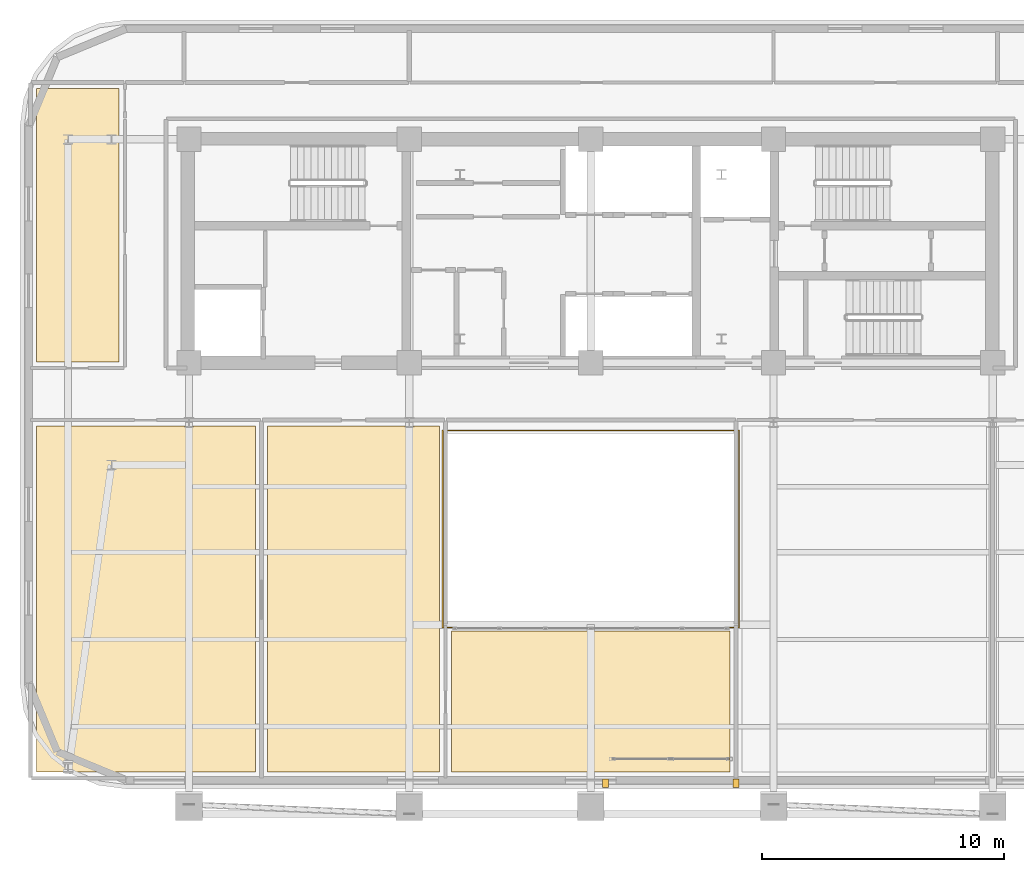
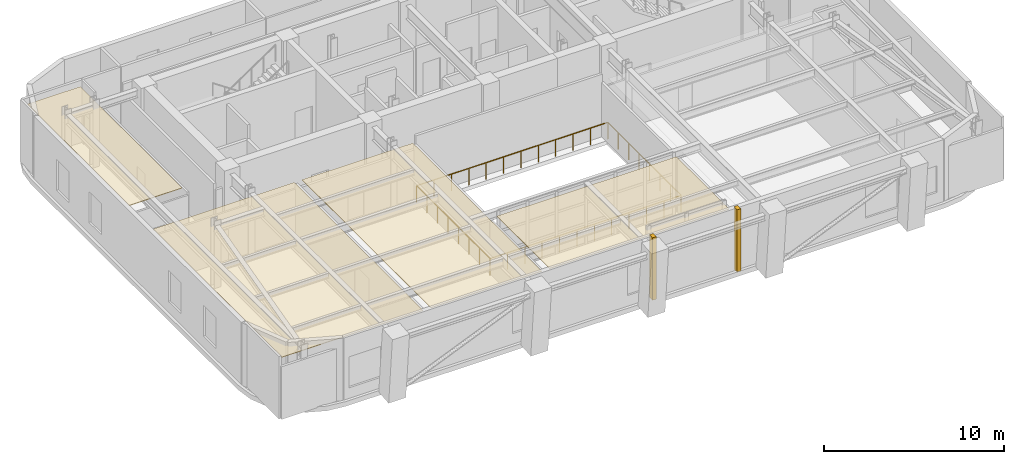
# One storey, part 10 of 13: 6 coverings, 1 railing.
"""IFC4 building model written with IfcOpenShell, lengths in metres."""

from ifc_helpers import new_model, si_unit, direction, frame, origin, origin_2d, place, context, subcontext, project, spatial, polyline, rectangle, outline, extrude, material, layer, layer_set, type_object, element, save


model = new_model("IFC4")

# Units and contexts
model_context = context("Model", 3, precision=1e-05, world=origin(), true_north=direction((0.0, 1.0)))
body_context = subcontext(model_context, "Body", "Model", "MODEL_VIEW")
ifc_project = project(units=[si_unit("LENGTHUNIT", "METRE"), si_unit("AREAUNIT", "SQUARE_METRE"), si_unit("VOLUMEUNIT", "CUBIC_METRE"), si_unit("PLANEANGLEUNIT", "RADIAN"), si_unit("MASSUNIT", "GRAM", prefix="KILO")], contexts=[model_context])

# Site, building, storey
site_placement = place(None, origin())
site = spatial("IfcSite", under=ifc_project, at=site_placement, CompositionType="ELEMENT")
building_placement = place(site_placement, origin())
building = spatial("IfcBuilding", under=site, at=building_placement, Name="Zarnavel Station Tower", CompositionType="ELEMENT")
storey_placement = place(building_placement, frame((0.0, 0.0, 183.85009765625)))
storey = spatial("IfcBuildingStorey", under=building, at=storey_placement, Name="L50", CompositionType="ELEMENT", Elevation=183.85009765625)

# Coverings
ifc_material_1 = material(Name="Perforated Gypsum and Mineral-Wool Acoustic Ceiling", Category="concrete")
ifc_layer = layer(ifc_material_1, 0.0400390625)
ifc_layer_set = layer_set([ifc_layer], Name="COV_CEIL_ACOUSTIC")
covering_type_1 = type_object("IfcCoveringType", Name="COV_CEIL_ACOUSTIC", PredefinedType="CEILING", material=ifc_layer_set)
covering_1_placement = place(storey_placement, frame((0.0, 0.0, 3.909912109375)))
element("IfcCovering", 1, at=covering_1_placement, inside=storey, type_object=covering_type_1, Name="L50 SLREC Acoustic Ceiling", PredefinedType="CEILING", context=body_context, shape_type="SweptSolid", body=[
    extrude(outline(polyline([(5.909912109375, 10.909912109375), (14.949951171875, 10.909912109375), (14.949951171875, 25.199951171875), (5.909912109375, 25.199951171875), (5.909912109375, 10.909912109375)])), origin(), (0.0, 0.0, 1.0), 0.0400390625),
])
covering_2_placement = place(storey_placement, frame((0.0, 0.0, 3.909912109375)))
element("IfcCovering", 2, at=covering_2_placement, inside=storey, type_object=covering_type_1, Name="L50 SLLNG Acoustic Ceiling", PredefinedType="CEILING", context=body_context, shape_type="SweptSolid", body=[
    extrude(outline(polyline([(15.449951171875, 10.909912109375), (22.550048828125, 10.909912109375), (22.550048828125, 25.199951171875), (15.449951171875, 25.199951171875), (15.449951171875, 10.909912109375)])), origin(), (0.0, 0.0, 1.0), 0.0400390625),
])
covering_3_placement = place(storey_placement, frame((0.0, 0.0, 3.909912109375)))
element("IfcCovering", 3, at=covering_3_placement, inside=storey, type_object=covering_type_1, Name="L50 SLBAR Acoustic Ceiling", PredefinedType="CEILING", context=body_context, shape_type="SweptSolid", body=[
    extrude(outline(polyline([(23.050048828125, 10.909912109375), (34.550048828125, 10.909912109375), (34.550048828125, 16.75), (23.050048828125, 16.75), (23.050048828125, 10.909912109375)])), origin(), (0.0, 0.0, 1.0), 0.0400390625),
])
covering_4_placement = place(storey_placement, frame((0.0, 0.0, 3.909912109375)))
element("IfcCovering", 4, at=covering_4_placement, inside=storey, type_object=covering_type_1, Name="L50 SLNW Acoustic Ceiling", PredefinedType="CEILING", context=body_context, shape_type="SweptSolid", body=[
    extrude(outline(polyline([(5.909912109375, 27.85009765625), (9.300048828125, 27.85009765625), (9.300048828125, 39.14990234375), (5.909912109375, 39.14990234375), (5.909912109375, 27.85009765625)])), origin(), (0.0, 0.0, 1.0), 0.0400390625),
])
ifc_material_2 = material(Name="Precast concrete C45/55 (Pale Travertine Slab Band)", Category="masonry")
covering_type_2 = type_object("IfcCoveringType", Name="COV_TRAVERTINE_BAND", PredefinedType="CLADDING", material=ifc_material_2)
for number, where, z_axis, x_axis, name in (
    (5, (29.39990234375, 10.449951171875, 0.0), (0.0, 0.0, 1.0), (1.0, 0.0, 0.0), "L50 Travertine Portal Loggia Vertical Jog West"),
    (6, (34.800048828125, 10.449951171875, 0.0), (0.0, 0.0, 1.0), (1.0, 0.0, 0.0), "L50 Travertine Portal Loggia Vertical Jog East"),
):
    element("IfcCovering", number, at=place(storey_placement, frame(where, z_axis=z_axis, x_axis=x_axis)), inside=storey, type_object=covering_type_2, Name=name, PredefinedType="CLADDING", context=body_context, shape_type="SweptSolid", body=[
        extrude(rectangle(XDim=0.239990234375, YDim=0.360107421875, at=origin_2d()), origin(), (0.0, 0.0, 1.0), 4.22998046875),
    ])

# Railing
ifc_material_3 = material(Name="Painted Steel S355J2 Balustrade", Category="steel")
railing_type = type_object("IfcRailingType", Name="GR_INT_1150", PredefinedType="GUARDRAIL", material=ifc_material_3)
railing_placement = place(storey_placement, frame((22.679931640625, 16.8798828125, 0.0)))
element("IfcRailing", 7, at=railing_placement, inside=storey, type_object=railing_type, Name="L50 Atrium Void Guardrail", PredefinedType="GUARDRAIL", context=body_context, shape_type="SweptSolid", body=[
    extrude(rectangle(XDim=0.048095703125, YDim=0.048095703125, at=origin_2d()), frame((0.001953125, 0.0, 1.1259765625), z_axis=(1.0, 0.0, 0.0), x_axis=(0.0, 1.0, 0.0)), (0.0, 0.0, 1.0), 12.236083984375),
    extrude(rectangle(XDim=0.048095703125, YDim=0.048095703125, at=origin_2d()), frame((12.239990234375, 0.001953125, 1.1259765625), z_axis=(0.0, 1.0, 0.0), x_axis=(-1.0, 0.0, 0.0)), (0.0, 0.0, 1.0), 8.13623046875),
    extrude(rectangle(XDim=0.048095703125, YDim=0.048095703125, at=origin_2d()), frame((12.238037109375, 8.14013671875, 1.1259765625), z_axis=(-1.0, 0.0, 0.0), x_axis=(0.0, -1.0, 0.0)), (0.0, 0.0, 1.0), 12.236083984375),
    extrude(rectangle(XDim=0.048095703125, YDim=0.048095703125, at=origin_2d()), frame((0.0, 8.13818359375, 1.1259765625), z_axis=(0.0, -1.0, 0.0), x_axis=(1.0, 0.0, 0.0)), (0.0, 0.0, 1.0), 8.13623046875),
    extrude(rectangle(XDim=0.0419921875, YDim=0.0419921875, at=origin_2d()), origin(), (0.0, 0.0, 1.0), 1.101806640625),
    extrude(rectangle(XDim=0.0419921875, YDim=0.0419921875, at=origin_2d()), frame((1.11279296875, 0.0, 0.0)), (0.0, 0.0, 1.0), 1.101806640625),
    extrude(rectangle(XDim=0.0419921875, YDim=0.0419921875, at=origin_2d()), frame((2.225341796875, 0.0, 0.0)), (0.0, 0.0, 1.0), 1.101806640625),
    extrude(rectangle(XDim=0.0419921875, YDim=0.0419921875, at=origin_2d()), frame((3.338134765625, 0.0, 0.0)), (0.0, 0.0, 1.0), 1.101806640625),
    extrude(rectangle(XDim=0.0419921875, YDim=0.0419921875, at=origin_2d()), frame((4.450927734375, 0.0, 0.0)), (0.0, 0.0, 1.0), 1.101806640625),
    extrude(rectangle(XDim=0.0419921875, YDim=0.0419921875, at=origin_2d()), frame((5.563720703125, 0.0, 0.0)), (0.0, 0.0, 1.0), 1.101806640625),
    extrude(rectangle(XDim=0.0419921875, YDim=0.0419921875, at=origin_2d()), frame((6.67626953125, 0.0, 0.0)), (0.0, 0.0, 1.0), 1.101806640625),
    extrude(rectangle(XDim=0.0419921875, YDim=0.0419921875, at=origin_2d()), frame((7.7890625, 0.0, 0.0)), (0.0, 0.0, 1.0), 1.101806640625),
    extrude(rectangle(XDim=0.0419921875, YDim=0.0419921875, at=origin_2d()), frame((8.90185546875, 0.0, 0.0)), (0.0, 0.0, 1.0), 1.101806640625),
    extrude(rectangle(XDim=0.0419921875, YDim=0.0419921875, at=origin_2d()), frame((10.0146484375, 0.0, 0.0)), (0.0, 0.0, 1.0), 1.101806640625),
    extrude(rectangle(XDim=0.0419921875, YDim=0.0419921875, at=origin_2d()), frame((11.127197265625, 0.0, 0.0)), (0.0, 0.0, 1.0), 1.101806640625),
    extrude(rectangle(XDim=0.0419921875, YDim=0.0419921875, at=origin_2d()), frame((12.239990234375, 0.0, 0.0)), (0.0, 0.0, 1.0), 1.101806640625),
    extrude(rectangle(XDim=0.0419921875, YDim=0.0419921875, at=origin_2d()), frame((12.239990234375, 1.162841796875, 0.0)), (0.0, 0.0, 1.0), 1.101806640625),
    extrude(rectangle(XDim=0.0419921875, YDim=0.0419921875, at=origin_2d()), frame((12.239990234375, 2.32568359375, 0.0)), (0.0, 0.0, 1.0), 1.101806640625),
    extrude(rectangle(XDim=0.0419921875, YDim=0.0419921875, at=origin_2d()), frame((12.239990234375, 3.488525390625, 0.0)), (0.0, 0.0, 1.0), 1.101806640625),
    extrude(rectangle(XDim=0.0419921875, YDim=0.0419921875, at=origin_2d()), frame((12.239990234375, 4.651611328125, 0.0)), (0.0, 0.0, 1.0), 1.101806640625),
    extrude(rectangle(XDim=0.0419921875, YDim=0.0419921875, at=origin_2d()), frame((12.239990234375, 5.814453125, 0.0)), (0.0, 0.0, 1.0), 1.101806640625),
    extrude(rectangle(XDim=0.0419921875, YDim=0.0419921875, at=origin_2d()), frame((12.239990234375, 6.977294921875, 0.0)), (0.0, 0.0, 1.0), 1.101806640625),
    extrude(rectangle(XDim=0.0419921875, YDim=0.0419921875, at=origin_2d()), frame((12.239990234375, 8.14013671875, 0.0)), (0.0, 0.0, 1.0), 1.101806640625),
    extrude(rectangle(XDim=0.0419921875, YDim=0.0419921875, at=origin_2d()), frame((11.127197265625, 8.14013671875, 0.0)), (0.0, 0.0, 1.0), 1.101806640625),
    extrude(rectangle(XDim=0.0419921875, YDim=0.0419921875, at=origin_2d()), frame((10.0146484375, 8.14013671875, 0.0)), (0.0, 0.0, 1.0), 1.101806640625),
    extrude(rectangle(XDim=0.0419921875, YDim=0.0419921875, at=origin_2d()), frame((8.90185546875, 8.14013671875, 0.0)), (0.0, 0.0, 1.0), 1.101806640625),
    extrude(rectangle(XDim=0.0419921875, YDim=0.0419921875, at=origin_2d()), frame((7.7890625, 8.14013671875, 0.0)), (0.0, 0.0, 1.0), 1.101806640625),
    extrude(rectangle(XDim=0.0419921875, YDim=0.0419921875, at=origin_2d()), frame((6.67626953125, 8.14013671875, 0.0)), (0.0, 0.0, 1.0), 1.101806640625),
    extrude(rectangle(XDim=0.0419921875, YDim=0.0419921875, at=origin_2d()), frame((5.563720703125, 8.14013671875, 0.0)), (0.0, 0.0, 1.0), 1.101806640625),
    extrude(rectangle(XDim=0.0419921875, YDim=0.0419921875, at=origin_2d()), frame((4.450927734375, 8.14013671875, 0.0)), (0.0, 0.0, 1.0), 1.101806640625),
    extrude(rectangle(XDim=0.0419921875, YDim=0.0419921875, at=origin_2d()), frame((3.338134765625, 8.14013671875, 0.0)), (0.0, 0.0, 1.0), 1.101806640625),
    extrude(rectangle(XDim=0.0419921875, YDim=0.0419921875, at=origin_2d()), frame((2.225341796875, 8.14013671875, 0.0)), (0.0, 0.0, 1.0), 1.101806640625),
    extrude(rectangle(XDim=0.0419921875, YDim=0.0419921875, at=origin_2d()), frame((1.11279296875, 8.14013671875, 0.0)), (0.0, 0.0, 1.0), 1.101806640625),
    extrude(rectangle(XDim=0.0419921875, YDim=0.0419921875, at=origin_2d()), frame((0.0, 8.14013671875, 0.0)), (0.0, 0.0, 1.0), 1.101806640625),
    extrude(rectangle(XDim=0.0419921875, YDim=0.0419921875, at=origin_2d()), frame((0.0, 6.977294921875, 0.0)), (0.0, 0.0, 1.0), 1.101806640625),
    extrude(rectangle(XDim=0.0419921875, YDim=0.0419921875, at=origin_2d()), frame((0.0, 5.814453125, 0.0)), (0.0, 0.0, 1.0), 1.101806640625),
    extrude(rectangle(XDim=0.0419921875, YDim=0.0419921875, at=origin_2d()), frame((0.0, 4.651611328125, 0.0)), (0.0, 0.0, 1.0), 1.101806640625),
    extrude(rectangle(XDim=0.0419921875, YDim=0.0419921875, at=origin_2d()), frame((0.0, 3.488525390625, 0.0)), (0.0, 0.0, 1.0), 1.101806640625),
    extrude(rectangle(XDim=0.0419921875, YDim=0.0419921875, at=origin_2d()), frame((0.0, 2.32568359375, 0.0)), (0.0, 0.0, 1.0), 1.101806640625),
    extrude(rectangle(XDim=0.0419921875, YDim=0.0419921875, at=origin_2d()), frame((0.0, 1.162841796875, 0.0)), (0.0, 0.0, 1.0), 1.101806640625),
])

save(model, "model.ifc")
